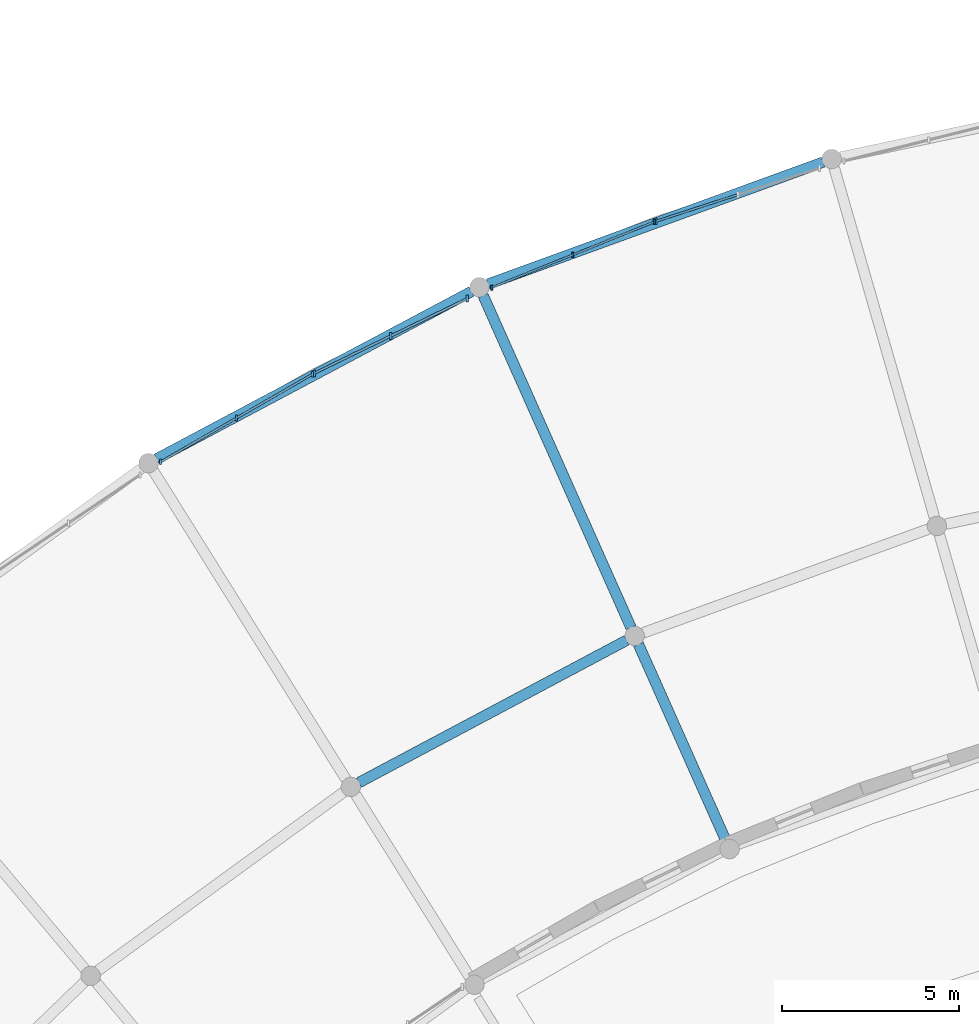
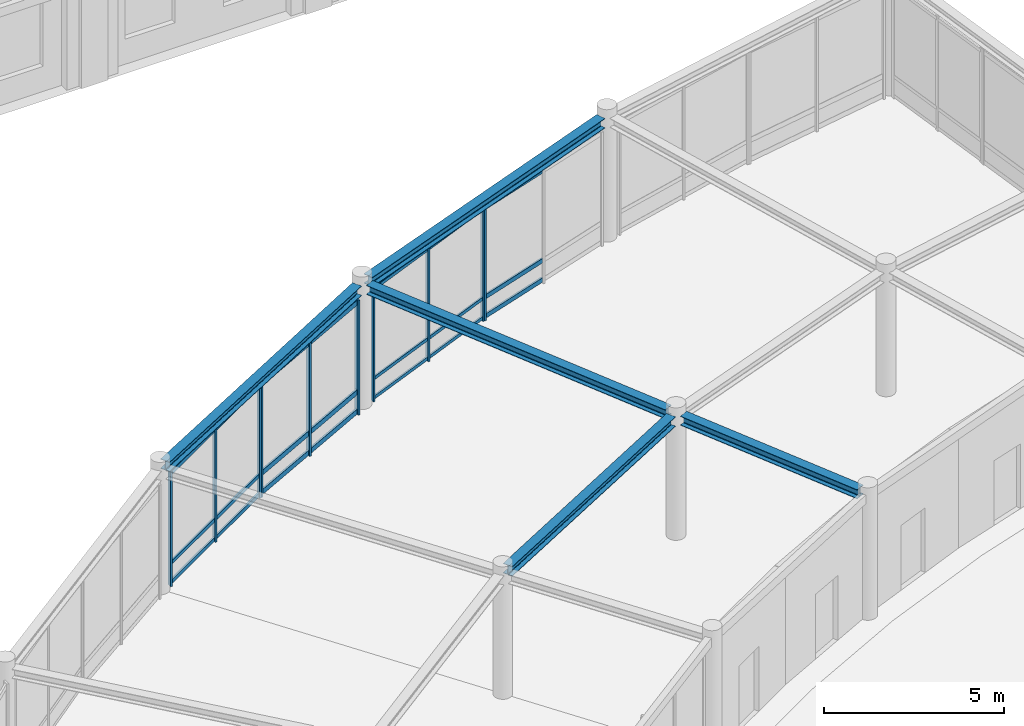
# One storey, part 19 of 62: 31 members, 5 beams, 4 elements without a shape of their own.
"""IFC4 building model written with IfcOpenShell, lengths in metres."""

from ifc_helpers import new_model, si_unit, direction, frame, origin, origin_2d, place, context, subcontext, project, spatial, rectangle, i_section, extrude, material, material_profile, profile_set, type_object, element, aggregate, save


model = new_model("IFC4")

# Units and contexts
model_context = context("Model", 3, precision=1e-05, world=origin(), true_north=direction((0.0, 1.0)))
body_context = subcontext(model_context, "Body", "Model", "MODEL_VIEW")
ifc_project = project(units=[si_unit("LENGTHUNIT", "METRE"), si_unit("AREAUNIT", "SQUARE_METRE"), si_unit("VOLUMEUNIT", "CUBIC_METRE"), si_unit("PLANEANGLEUNIT", "RADIAN"), si_unit("MASSUNIT", "GRAM", prefix="KILO")], contexts=[model_context])

# Site, building, storey
site_placement = place(None, origin())
site = spatial("IfcSite", under=ifc_project, at=site_placement, CompositionType="ELEMENT")
building_placement = place(site_placement, origin())
building = spatial("IfcBuilding", under=site, at=building_placement, Name="Clarverna Civic Hall", CompositionType="ELEMENT")
storey_placement = place(building_placement, frame((0.0, 0.0, 5.10009765625)))
storey = spatial("IfcBuildingStorey", under=building, at=storey_placement, Name="L01", CompositionType="ELEMENT", Elevation=5.10009765625)

# Beams
ifc_material_1 = material(Name="Steel S355", Category="steel")
ifc_material_profile_1 = material_profile(ifc_material_1, i_section(OverallWidth=0.300048828125, OverallDepth=0.330078125, WebThickness=0.009521484375, FlangeThickness=0.0166015625, FilletRadius=0.027099609375, at=origin_2d()), Name="HEA 340")
ifc_profile_set_1 = profile_set([ifc_material_profile_1], Name="Steel S355")
beam_type_1 = type_object("IfcBeamType", Name="B-ST8", PredefinedType="BEAM", material=ifc_profile_set_1)
beam_1_placement = place(storey_placement, frame((125.251220703125, 67.441162109375, 4.054931640625), z_axis=(-0.882941689517, -0.469482665189, 0.0), x_axis=(0.469482665189, -0.882941689517, 0.0)))
element("IfcBeam", 1, at=beam_1_placement, inside=storey, type_object=beam_type_1, Name="B-ST8-060", PredefinedType="BEAM", context=body_context, shape_type="SweptSolid", body=[
    extrude(i_section(OverallWidth=0.300048828125, OverallDepth=0.330078125, WebThickness=0.009521484375, FlangeThickness=0.0166015625, FilletRadius=0.027099609375, at=origin_2d()), origin(), (0.0, 0.0, 1.0), 8.576171875),
])
beam_2_placement = place(storey_placement, frame((130.807373046875, 80.967041015625, 4.054931640625), z_axis=(-0.939690167884, -0.342026882544, 0.0), x_axis=(0.342026882544, -0.939690167884, 0.0)))
element("IfcBeam", 2, at=beam_2_placement, inside=storey, type_object=beam_type_1, Name="B-ST8-068", PredefinedType="BEAM", context=body_context, shape_type="SweptSolid", body=[
    extrude(i_section(OverallWidth=0.300048828125, OverallDepth=0.330078125, WebThickness=0.009521484375, FlangeThickness=0.0166015625, FilletRadius=0.027099609375, at=origin_2d()), origin(), (0.0, 0.0, 1.0), 10.083251953125),
])
beam_3_placement = place(storey_placement, frame((120.8583984375, 77.307373046875, 4.054931640625), z_axis=(-0.882945429139, -0.469475632129, 0.0), x_axis=(0.469475632129, -0.882945429139, 0.0)))
element("IfcBeam", 3, at=beam_3_placement, inside=storey, type_object=beam_type_1, Name="B-ST8-069", PredefinedType="BEAM", context=body_context, shape_type="SweptSolid", body=[
    extrude(i_section(OverallWidth=0.300048828125, OverallDepth=0.330078125, WebThickness=0.009521484375, FlangeThickness=0.0166015625, FilletRadius=0.027099609375, at=origin_2d()), origin(), (0.0, 0.0, 1.0), 10.082763671875),
])
ifc_material_profile_2 = material_profile(ifc_material_1, i_section(OverallWidth=0.300048828125, OverallDepth=0.31005859375, WebThickness=0.009033203125, FlangeThickness=0.015380859375, FilletRadius=0.027099609375, at=origin_2d()), Name="HEA 320")
ifc_profile_set_2 = profile_set([ifc_material_profile_2], Name="Steel S355")
beam_type_2 = type_object("IfcBeamType", Name="B-ST9", PredefinedType="BEAM", material=ifc_profile_set_2)
beam_4_placement = place(storey_placement, frame((128.0595703125, 61.771240234375, 4.06494140625), z_axis=(-0.406756822572, 0.913536472885, 0.0), x_axis=(-0.913536472885, -0.406756822572, 0.0)))
element("IfcBeam", 4, at=beam_4_placement, inside=storey, type_object=beam_type_2, Name="B-ST9-060", PredefinedType="BEAM", context=body_context, shape_type="SweptSolid", body=[
    extrude(i_section(OverallWidth=0.300048828125, OverallDepth=0.31005859375, WebThickness=0.009033203125, FlangeThickness=0.015380859375, FilletRadius=0.027099609375, at=origin_2d()), origin(), (0.0, 0.0, 1.0), 6.080078125),
])
beam_5_placement = place(storey_placement, frame((125.375, 67.80078125, 4.06494140625), z_axis=(-0.406733340801, 0.913546927903, 0.0), x_axis=(-0.913546927903, -0.406733340801, 0.0)))
element("IfcBeam", 5, at=beam_5_placement, inside=storey, type_object=beam_type_2, Name="B-ST9-061", PredefinedType="BEAM", context=body_context, shape_type="SweptSolid", body=[
    extrude(i_section(OverallWidth=0.300048828125, OverallDepth=0.31005859375, WebThickness=0.009033203125, FlangeThickness=0.015380859375, FilletRadius=0.027099609375, at=origin_2d()), origin(), (0.0, 0.0, 1.0), 10.27978515625),
])

# Curtain wall, member
ifc_material_2 = material(Name="Anodised Bronze Architectural Aluminium", Category="aluminium")
curtain_wall_type = type_object("IfcCurtainWallType", Name="CW-03", PredefinedType="USERDEFINED", material=ifc_material_2)
curtain_wall_1_placement = place(storey_placement, origin())
curtain_wall_1 = element("IfcCurtainWall", 6, at=curtain_wall_1_placement, inside=storey, type_object=curtain_wall_type, Name="CW-03-033", ObjectType="UNITISED CURTAIN WALL", PredefinedType="USERDEFINED")
ifc_material_profile_3 = material_profile(ifc_material_2, rectangle(XDim=0.06005859375, YDim=0.179931640625, at=origin_2d()), Name="BRONZE 60x180")
ifc_profile_set_3 = profile_set([ifc_material_profile_3], Name="Anodised Bronze Architectural Aluminium")
member_type_1 = type_object("IfcMemberType", Name="CWM-01", PredefinedType="MULLION", material=ifc_profile_set_3)
member_1_placement = place(storey_placement, frame((126.081298828125, 79.293701171875, 0.0), z_axis=(0.0, 0.0, 1.0), x_axis=(1.0, 0.0, 0.0)))
member_1 = element("IfcMember", 7, at=member_1_placement, type_object=member_type_1, Name="CWM-01-047", PredefinedType="MULLION", context=body_context, shape_type="SweptSolid", body=[
    extrude(rectangle(XDim=0.06005859375, YDim=0.179931640625, at=origin_2d()), origin(), (0.0, 0.0, 1.0), 3.889892578125),
])

# Curtain wall, members
curtain_wall_2_placement = place(storey_placement, origin())
curtain_wall_2 = element("IfcCurtainWall", 8, at=curtain_wall_2_placement, inside=storey, type_object=curtain_wall_type, Name="CW-03-030", ObjectType="UNITISED CURTAIN WALL", PredefinedType="USERDEFINED")
ifc_material_profile_4 = material_profile(ifc_material_2, rectangle(XDim=0.06005859375, YDim=0.159912109375, at=origin_2d()), Name="BRONZE 60x160")
ifc_profile_set_4 = profile_set([ifc_material_profile_4], Name="Anodised Bronze Architectural Aluminium")
member_type_2 = type_object("IfcMemberType", Name="CWM-02", PredefinedType="MULLION", material=ifc_profile_set_4)
member_2_placement = place(storey_placement, frame((112.069580078125, 72.48828125, 0.0), z_axis=(0.0, 0.0, 1.0), x_axis=(1.0, 0.0, 0.0)))
member_2 = element("IfcMember", 9, at=member_2_placement, type_object=member_type_2, Name="CWM-02-056", PredefinedType="MULLION", context=body_context, shape_type="SweptSolid", body=[
    extrude(rectangle(XDim=0.06005859375, YDim=0.159912109375, at=origin_2d()), origin(), (0.0, 0.0, 1.0), 3.889892578125),
])
member_3_placement = place(storey_placement, frame((114.215576171875, 73.727294921875, 0.0), z_axis=(0.0, 0.0, 1.0), x_axis=(1.0, 0.0, 0.0)))
member_3 = element("IfcMember", 10, at=member_3_placement, type_object=member_type_2, Name="CWM-02-057", PredefinedType="MULLION", context=body_context, shape_type="SweptSolid", body=[
    extrude(rectangle(XDim=0.06005859375, YDim=0.159912109375, at=origin_2d()), origin(), (0.0, 0.0, 1.0), 3.889892578125),
])
member_4_placement = place(storey_placement, frame((116.361572265625, 74.96630859375, 0.0), z_axis=(0.0, 0.0, 1.0), x_axis=(1.0, 0.0, 0.0)))
member_4 = element("IfcMember", 11, at=member_4_placement, type_object=member_type_2, Name="CWM-02-058", PredefinedType="MULLION", context=body_context, shape_type="SweptSolid", body=[
    extrude(rectangle(XDim=0.06005859375, YDim=0.159912109375, at=origin_2d()), origin(), (0.0, 0.0, 1.0), 3.889892578125),
])

curtain_wall_3_placement = place(storey_placement, origin())
curtain_wall_3 = element("IfcCurtainWall", 12, at=curtain_wall_3_placement, inside=storey, type_object=curtain_wall_type, Name="CW-03-031", ObjectType="UNITISED CURTAIN WALL", PredefinedType="USERDEFINED")
ifc_material_profile_5 = material_profile(ifc_material_2, rectangle(XDim=0.06494140625, YDim=0.199951171875, at=origin_2d()), Name="BRONZE 65x200")
ifc_profile_set_5 = profile_set([ifc_material_profile_5], Name="Anodised Bronze Architectural Aluminium")
member_type_3 = type_object("IfcMemberType", Name="CWM-03", PredefinedType="MULLION", material=ifc_profile_set_5)
member_5_placement = place(storey_placement, frame((116.411376953125, 74.99267578125, 0.0), z_axis=(0.0, 0.0, 1.0), x_axis=(1.0, 0.0, 0.0)))
member_5 = element("IfcMember", 13, at=member_5_placement, type_object=member_type_3, Name="CWM-03-044", PredefinedType="MULLION", context=body_context, shape_type="SweptSolid", body=[
    extrude(rectangle(XDim=0.06494140625, YDim=0.199951171875, at=origin_2d()), origin(), (0.0, 0.0, 1.0), 3.889892578125),
])
member_6_placement = place(storey_placement, frame((118.577392578125, 76.049072265625, 0.0), z_axis=(0.0, 0.0, 1.0), x_axis=(1.0, 0.0, 0.0)))
member_6 = element("IfcMember", 14, at=member_6_placement, type_object=member_type_3, Name="CWM-03-045", PredefinedType="MULLION", context=body_context, shape_type="SweptSolid", body=[
    extrude(rectangle(XDim=0.06494140625, YDim=0.199951171875, at=origin_2d()), origin(), (0.0, 0.0, 1.0), 3.889892578125),
])
member_7_placement = place(storey_placement, frame((120.743408203125, 77.105712890625, 0.0), z_axis=(0.0, 0.0, 1.0), x_axis=(1.0, 0.0, 0.0)))
member_7 = element("IfcMember", 15, at=member_7_placement, type_object=member_type_3, Name="CWM-03-046", PredefinedType="MULLION", context=body_context, shape_type="SweptSolid", body=[
    extrude(rectangle(XDim=0.06494140625, YDim=0.199951171875, at=origin_2d()), origin(), (0.0, 0.0, 1.0), 3.889892578125),
])

curtain_wall_4_placement = place(storey_placement, origin())
curtain_wall_4 = element("IfcCurtainWall", 16, at=curtain_wall_4_placement, inside=storey, type_object=curtain_wall_type, Name="CW-03-032", ObjectType="UNITISED CURTAIN WALL", PredefinedType="USERDEFINED")
ifc_material_profile_6 = material_profile(ifc_material_2, rectangle(XDim=0.054931640625, YDim=0.139892578125, at=origin_2d()), Name="BRONZE 55x140")
ifc_profile_set_6 = profile_set([ifc_material_profile_6], Name="Anodised Bronze Architectural Aluminium")
member_type_4 = type_object("IfcMemberType", Name="CWM-04", PredefinedType="MULLION", material=ifc_profile_set_6)
member_8_placement = place(storey_placement, frame((121.43359375, 77.418212890625, 0.0), z_axis=(0.0, 0.0, 1.0), x_axis=(1.0, 0.0, 0.0)))
member_8 = element("IfcMember", 17, at=member_8_placement, type_object=member_type_4, Name="CWM-04-057", PredefinedType="MULLION", context=body_context, shape_type="SweptSolid", body=[
    extrude(rectangle(XDim=0.054931640625, YDim=0.139892578125, at=origin_2d()), origin(), (0.0, 0.0, 1.0), 3.889892578125),
])
member_9_placement = place(storey_placement, frame((123.73095703125, 78.34619140625, 0.0), z_axis=(0.0, 0.0, 1.0), x_axis=(1.0, 0.0, 0.0)))
member_9 = element("IfcMember", 18, at=member_9_placement, type_object=member_type_4, Name="CWM-04-058", PredefinedType="MULLION", context=body_context, shape_type="SweptSolid", body=[
    extrude(rectangle(XDim=0.054931640625, YDim=0.139892578125, at=origin_2d()), origin(), (0.0, 0.0, 1.0), 3.889892578125),
])
member_10_placement = place(storey_placement, frame((126.0283203125, 79.2744140625, 0.0), z_axis=(0.0, 0.0, 1.0), x_axis=(1.0, 0.0, 0.0)))
member_10 = element("IfcMember", 19, at=member_10_placement, type_object=member_type_4, Name="CWM-04-059", PredefinedType="MULLION", context=body_context, shape_type="SweptSolid", body=[
    extrude(rectangle(XDim=0.054931640625, YDim=0.139892578125, at=origin_2d()), origin(), (0.0, 0.0, 1.0), 3.889892578125),
])

# Member
ifc_material_profile_7 = material_profile(ifc_material_2, rectangle(XDim=0.06005859375, YDim=0.14990234375, at=origin_2d()), Name="BRONZE 60x150")
ifc_profile_set_7 = profile_set([ifc_material_profile_7], Name="Anodised Bronze Architectural Aluminium")
member_type_5 = type_object("IfcMemberType", Name="CWT-01", PredefinedType="USERDEFINED", material=ifc_profile_set_7)
member_11_placement = place(storey_placement, frame((126.095458984375, 79.29833984375, 0.094970703125), z_axis=(0.951055736875, 0.309019393175, 0.0), x_axis=(-0.309019393175, 0.951055736875, 0.0)))
member_11 = element("IfcMember", 20, at=member_11_placement, type_object=member_type_5, Name="CWT-01-097", ObjectType="TRANSOM", PredefinedType="USERDEFINED", context=body_context, shape_type="SweptSolid", body=[
    extrude(rectangle(XDim=0.06005859375, YDim=0.14990234375, at=origin_2d()), origin(), (0.0, 0.0, 1.0), 2.40087890625),
])

member_12_placement = place(storey_placement, frame((126.095458984375, 79.29833984375, 0.75), z_axis=(0.951055736875, 0.309019393175, 0.0), x_axis=(-0.309019393175, 0.951055736875, 0.0)))
member_12 = element("IfcMember", 21, at=member_12_placement, type_object=member_type_5, Name="CWT-01-098", ObjectType="TRANSOM", PredefinedType="USERDEFINED", context=body_context, shape_type="SweptSolid", body=[
    extrude(rectangle(XDim=0.06005859375, YDim=0.14990234375, at=origin_2d()), origin(), (0.0, 0.0, 1.0), 2.40087890625),
])

member_13_placement = place(storey_placement, frame((126.095458984375, 79.29833984375, 3.794921875), z_axis=(0.951055736875, 0.309019393175, 0.0), x_axis=(-0.309019393175, 0.951055736875, 0.0)))
member_13 = element("IfcMember", 22, at=member_13_placement, type_object=member_type_5, Name="CWT-01-099", ObjectType="TRANSOM", PredefinedType="USERDEFINED", context=body_context, shape_type="SweptSolid", body=[
    extrude(rectangle(XDim=0.06005859375, YDim=0.14990234375, at=origin_2d()), origin(), (0.0, 0.0, 1.0), 2.40087890625),
])

aggregate(curtain_wall_1, [member_1, member_11, member_12, member_13])

ifc_material_profile_8 = material_profile(ifc_material_2, rectangle(XDim=0.06005859375, YDim=0.1298828125, at=origin_2d()), Name="BRONZE 60x130")
ifc_profile_set_8 = profile_set([ifc_material_profile_8], Name="Anodised Bronze Architectural Aluminium")
member_type_6 = type_object("IfcMemberType", Name="CWT-02", PredefinedType="USERDEFINED", material=ifc_profile_set_8)
member_14_placement = place(storey_placement, frame((112.082763671875, 72.495849609375, 0.094970703125), z_axis=(0.86598793266, 0.500064896275, 0.0), x_axis=(-0.500064896275, 0.86598793266, 0.0)))
member_14 = element("IfcMember", 23, at=member_14_placement, type_object=member_type_6, Name="CWT-02-115", ObjectType="TRANSOM", PredefinedType="USERDEFINED", context=body_context, shape_type="SweptSolid", body=[
    extrude(rectangle(XDim=0.06005859375, YDim=0.1298828125, at=origin_2d()), origin(), (0.0, 0.0, 1.0), 2.447998046875),
])

member_15_placement = place(storey_placement, frame((112.082763671875, 72.495849609375, 0.75), z_axis=(0.86598793266, 0.500064896275, 0.0), x_axis=(-0.500064896275, 0.86598793266, 0.0)))
member_15 = element("IfcMember", 24, at=member_15_placement, type_object=member_type_6, Name="CWT-02-116", ObjectType="TRANSOM", PredefinedType="USERDEFINED", context=body_context, shape_type="SweptSolid", body=[
    extrude(rectangle(XDim=0.06005859375, YDim=0.1298828125, at=origin_2d()), origin(), (0.0, 0.0, 1.0), 2.447998046875),
])

member_16_placement = place(storey_placement, frame((112.082763671875, 72.495849609375, 3.794921875), z_axis=(0.86598793266, 0.500064896275, 0.0), x_axis=(-0.500064896275, 0.86598793266, 0.0)))
member_16 = element("IfcMember", 25, at=member_16_placement, type_object=member_type_6, Name="CWT-02-117", ObjectType="TRANSOM", PredefinedType="USERDEFINED", context=body_context, shape_type="SweptSolid", body=[
    extrude(rectangle(XDim=0.06005859375, YDim=0.1298828125, at=origin_2d()), origin(), (0.0, 0.0, 1.0), 2.447998046875),
])

member_17_placement = place(storey_placement, frame((114.228515625, 73.73486328125, 0.094970703125), z_axis=(0.866056051747, 0.499946912414, 0.0), x_axis=(-0.499946912414, 0.866056051747, 0.0)))
member_17 = element("IfcMember", 26, at=member_17_placement, type_object=member_type_6, Name="CWT-02-118", ObjectType="TRANSOM", PredefinedType="USERDEFINED", context=body_context, shape_type="SweptSolid", body=[
    extrude(rectangle(XDim=0.06005859375, YDim=0.1298828125, at=origin_2d()), origin(), (0.0, 0.0, 1.0), 2.447998046875),
])

member_18_placement = place(storey_placement, frame((114.228515625, 73.73486328125, 0.75), z_axis=(0.866056051747, 0.499946912414, 0.0), x_axis=(-0.499946912414, 0.866056051747, 0.0)))
member_18 = element("IfcMember", 27, at=member_18_placement, type_object=member_type_6, Name="CWT-02-119", ObjectType="TRANSOM", PredefinedType="USERDEFINED", context=body_context, shape_type="SweptSolid", body=[
    extrude(rectangle(XDim=0.06005859375, YDim=0.1298828125, at=origin_2d()), origin(), (0.0, 0.0, 1.0), 2.447998046875),
])

member_19_placement = place(storey_placement, frame((114.228515625, 73.73486328125, 3.794921875), z_axis=(0.866056051747, 0.499946912414, 0.0), x_axis=(-0.499946912414, 0.866056051747, 0.0)))
member_19 = element("IfcMember", 28, at=member_19_placement, type_object=member_type_6, Name="CWT-02-120", ObjectType="TRANSOM", PredefinedType="USERDEFINED", context=body_context, shape_type="SweptSolid", body=[
    extrude(rectangle(XDim=0.06005859375, YDim=0.1298828125, at=origin_2d()), origin(), (0.0, 0.0, 1.0), 2.447998046875),
])

aggregate(curtain_wall_2, [member_2, member_3, member_4, member_14, member_15, member_16, member_17, member_18, member_19])

ifc_material_profile_9 = material_profile(ifc_material_2, rectangle(XDim=0.06494140625, YDim=0.169921875, at=origin_2d()), Name="BRONZE 65x170")
ifc_profile_set_9 = profile_set([ifc_material_profile_9], Name="Anodised Bronze Architectural Aluminium")
member_type_7 = type_object("IfcMemberType", Name="CWT-03", PredefinedType="USERDEFINED", material=ifc_profile_set_9)
member_20_placement = place(storey_placement, frame((116.4248046875, 74.999267578125, 0.094970703125), z_axis=(0.898795065251, 0.438369057621, 0.0), x_axis=(-0.438369057621, 0.898795065251, 0.0)))
member_20 = element("IfcMember", 29, at=member_20_placement, type_object=member_type_7, Name="CWT-03-091", ObjectType="TRANSOM", PredefinedType="USERDEFINED", context=body_context, shape_type="SweptSolid", body=[
    extrude(rectangle(XDim=0.06494140625, YDim=0.169921875, at=origin_2d()), origin(), (0.0, 0.0, 1.0), 2.379638671875),
])

member_21_placement = place(storey_placement, frame((116.4248046875, 74.999267578125, 0.75), z_axis=(0.898795065251, 0.438369057621, 0.0), x_axis=(-0.438369057621, 0.898795065251, 0.0)))
member_21 = element("IfcMember", 30, at=member_21_placement, type_object=member_type_7, Name="CWT-03-092", ObjectType="TRANSOM", PredefinedType="USERDEFINED", context=body_context, shape_type="SweptSolid", body=[
    extrude(rectangle(XDim=0.06494140625, YDim=0.169921875, at=origin_2d()), origin(), (0.0, 0.0, 1.0), 2.379638671875),
])

member_22_placement = place(storey_placement, frame((116.4248046875, 74.999267578125, 3.794921875), z_axis=(0.898795065251, 0.438369057621, 0.0), x_axis=(-0.438369057621, 0.898795065251, 0.0)))
member_22 = element("IfcMember", 31, at=member_22_placement, type_object=member_type_7, Name="CWT-03-093", ObjectType="TRANSOM", PredefinedType="USERDEFINED", context=body_context, shape_type="SweptSolid", body=[
    extrude(rectangle(XDim=0.06494140625, YDim=0.169921875, at=origin_2d()), origin(), (0.0, 0.0, 1.0), 2.379638671875),
])

member_23_placement = place(storey_placement, frame((118.5908203125, 76.0556640625, 0.094970703125), z_axis=(0.898754642201, 0.43845192795, 0.0), x_axis=(-0.43845192795, 0.898754642201, 0.0)))
member_23 = element("IfcMember", 32, at=member_23_placement, type_object=member_type_7, Name="CWT-03-094", ObjectType="TRANSOM", PredefinedType="USERDEFINED", context=body_context, shape_type="SweptSolid", body=[
    extrude(rectangle(XDim=0.06494140625, YDim=0.169921875, at=origin_2d()), origin(), (0.0, 0.0, 1.0), 2.3798828125),
])

member_24_placement = place(storey_placement, frame((118.5908203125, 76.0556640625, 0.75), z_axis=(0.898754642201, 0.43845192795, 0.0), x_axis=(-0.43845192795, 0.898754642201, 0.0)))
member_24 = element("IfcMember", 33, at=member_24_placement, type_object=member_type_7, Name="CWT-03-095", ObjectType="TRANSOM", PredefinedType="USERDEFINED", context=body_context, shape_type="SweptSolid", body=[
    extrude(rectangle(XDim=0.06494140625, YDim=0.169921875, at=origin_2d()), origin(), (0.0, 0.0, 1.0), 2.3798828125),
])

member_25_placement = place(storey_placement, frame((118.5908203125, 76.0556640625, 3.794921875), z_axis=(0.898754642201, 0.43845192795, 0.0), x_axis=(-0.43845192795, 0.898754642201, 0.0)))
member_25 = element("IfcMember", 34, at=member_25_placement, type_object=member_type_7, Name="CWT-03-096", ObjectType="TRANSOM", PredefinedType="USERDEFINED", context=body_context, shape_type="SweptSolid", body=[
    extrude(rectangle(XDim=0.06494140625, YDim=0.169921875, at=origin_2d()), origin(), (0.0, 0.0, 1.0), 2.3798828125),
])

aggregate(curtain_wall_3, [member_5, member_6, member_7, member_20, member_21, member_22, member_23, member_24, member_25])

ifc_material_profile_10 = material_profile(ifc_material_2, rectangle(XDim=0.054931640625, YDim=0.110107421875, at=origin_2d()), Name="BRONZE 55x110")
ifc_profile_set_10 = profile_set([ifc_material_profile_10], Name="Anodised Bronze Architectural Aluminium")
member_type_8 = type_object("IfcMemberType", Name="CWT-04", PredefinedType="USERDEFINED", material=ifc_profile_set_10)
member_26_placement = place(storey_placement, frame((121.447509765625, 77.423828125, 0.094970703125), z_axis=(0.927177888864, 0.37462135871, 0.0), x_axis=(-0.37462135871, 0.927177888864, 0.0)))
member_26 = element("IfcMember", 35, at=member_26_placement, type_object=member_type_8, Name="CWT-04-118", ObjectType="TRANSOM", PredefinedType="USERDEFINED", context=body_context, shape_type="SweptSolid", body=[
    extrude(rectangle(XDim=0.054931640625, YDim=0.110107421875, at=origin_2d()), origin(), (0.0, 0.0, 1.0), 2.44775390625),
])

member_27_placement = place(storey_placement, frame((121.447509765625, 77.423828125, 0.75), z_axis=(0.927177888864, 0.37462135871, 0.0), x_axis=(-0.37462135871, 0.927177888864, 0.0)))
member_27 = element("IfcMember", 36, at=member_27_placement, type_object=member_type_8, Name="CWT-04-119", ObjectType="TRANSOM", PredefinedType="USERDEFINED", context=body_context, shape_type="SweptSolid", body=[
    extrude(rectangle(XDim=0.054931640625, YDim=0.110107421875, at=origin_2d()), origin(), (0.0, 0.0, 1.0), 2.44775390625),
])

member_28_placement = place(storey_placement, frame((121.447509765625, 77.423828125, 3.794921875), z_axis=(0.927177888864, 0.37462135871, 0.0), x_axis=(-0.37462135871, 0.927177888864, 0.0)))
member_28 = element("IfcMember", 37, at=member_28_placement, type_object=member_type_8, Name="CWT-04-120", ObjectType="TRANSOM", PredefinedType="USERDEFINED", context=body_context, shape_type="SweptSolid", body=[
    extrude(rectangle(XDim=0.054931640625, YDim=0.110107421875, at=origin_2d()), origin(), (0.0, 0.0, 1.0), 2.44775390625),
])

member_29_placement = place(storey_placement, frame((123.744873046875, 78.351806640625, 0.094970703125), z_axis=(0.927177888864, 0.37462135871, 0.0), x_axis=(-0.37462135871, 0.927177888864, 0.0)))
member_29 = element("IfcMember", 38, at=member_29_placement, type_object=member_type_8, Name="CWT-04-121", ObjectType="TRANSOM", PredefinedType="USERDEFINED", context=body_context, shape_type="SweptSolid", body=[
    extrude(rectangle(XDim=0.054931640625, YDim=0.110107421875, at=origin_2d()), origin(), (0.0, 0.0, 1.0), 2.44775390625),
])

member_30_placement = place(storey_placement, frame((123.744873046875, 78.351806640625, 0.75), z_axis=(0.927177888864, 0.37462135871, 0.0), x_axis=(-0.37462135871, 0.927177888864, 0.0)))
member_30 = element("IfcMember", 39, at=member_30_placement, type_object=member_type_8, Name="CWT-04-122", ObjectType="TRANSOM", PredefinedType="USERDEFINED", context=body_context, shape_type="SweptSolid", body=[
    extrude(rectangle(XDim=0.054931640625, YDim=0.110107421875, at=origin_2d()), origin(), (0.0, 0.0, 1.0), 2.44775390625),
])

member_31_placement = place(storey_placement, frame((123.744873046875, 78.351806640625, 3.794921875), z_axis=(0.927177888864, 0.37462135871, 0.0), x_axis=(-0.37462135871, 0.927177888864, 0.0)))
member_31 = element("IfcMember", 40, at=member_31_placement, type_object=member_type_8, Name="CWT-04-123", ObjectType="TRANSOM", PredefinedType="USERDEFINED", context=body_context, shape_type="SweptSolid", body=[
    extrude(rectangle(XDim=0.054931640625, YDim=0.110107421875, at=origin_2d()), origin(), (0.0, 0.0, 1.0), 2.44775390625),
])

aggregate(curtain_wall_4, [member_8, member_9, member_10, member_26, member_27, member_28, member_29, member_30, member_31])

save(model, "model.ifc")
